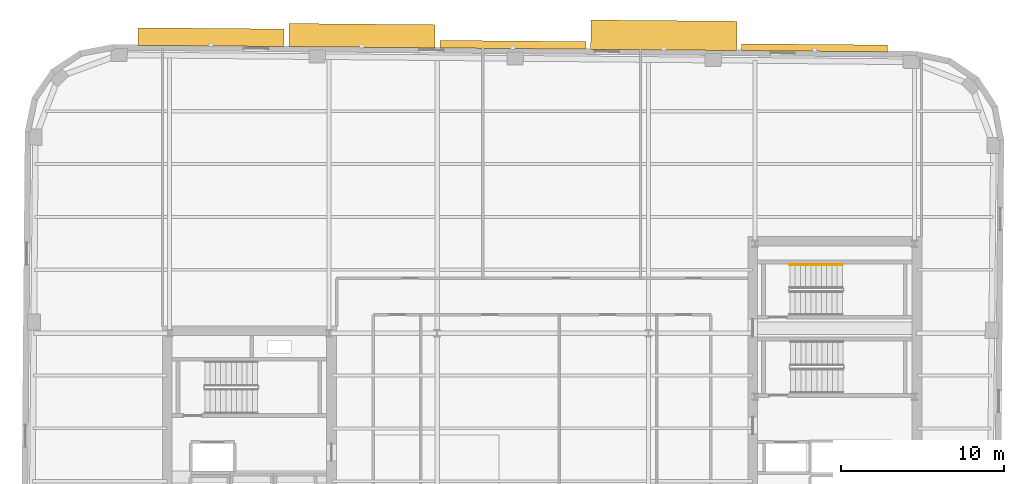
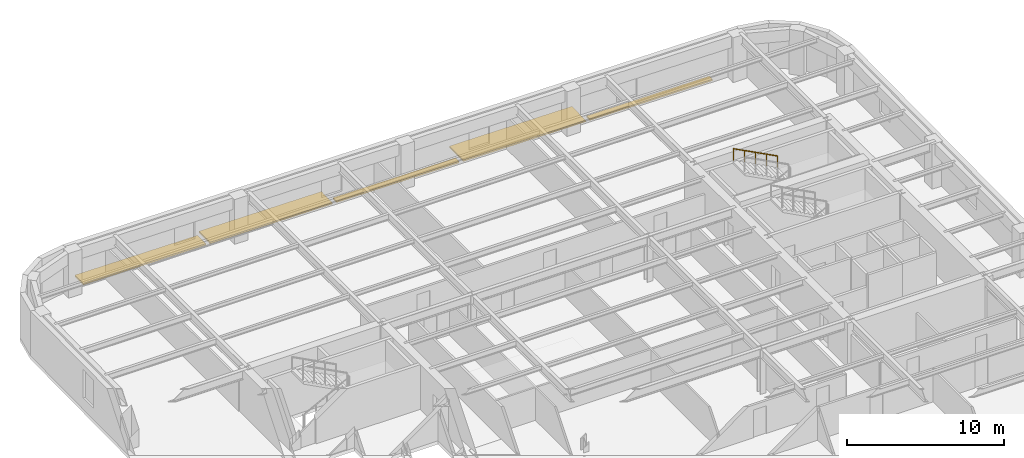
# One storey, part 11 of 11: 5 shading devices, 1 railing.
"""IFC4 building model written with IfcOpenShell, lengths in metres."""

from ifc_helpers import new_model, si_unit, direction, frame, origin, origin_2d, place, context, subcontext, project, spatial, rectangle, circle, extrude, material, type_object, element, save


model = new_model("IFC4")

# Units and contexts
model_context = context("Model", 3, precision=1e-05, world=origin(), true_north=direction((0.0, 1.0)))
body_context = subcontext(model_context, "Body", "Model", "MODEL_VIEW")
ifc_project = project(units=[si_unit("LENGTHUNIT", "METRE"), si_unit("AREAUNIT", "SQUARE_METRE"), si_unit("VOLUMEUNIT", "CUBIC_METRE"), si_unit("PLANEANGLEUNIT", "RADIAN"), si_unit("MASSUNIT", "GRAM", prefix="KILO")], contexts=[model_context])

# Site, building, storey
site_placement = place(None, origin())
site = spatial("IfcSite", under=ifc_project, at=site_placement, CompositionType="ELEMENT")
building_placement = place(site_placement, origin())
building = spatial("IfcBuilding", under=site, at=building_placement, Name="Kolvaren Arena Tower", CompositionType="ELEMENT")
storey_placement = place(building_placement, frame((0.0, 0.0, 173.449951171875)))
storey = spatial("IfcBuildingStorey", under=building, at=storey_placement, Name="L41", CompositionType="ELEMENT", Elevation=173.449951171875)

# Railing
ifc_material_1 = material(Name="Brushed stainless steel handrail", Category="steel")
railing_type = type_object("IfcRailingType", Name="HRAIL-900", PredefinedType="HANDRAIL", material=ifc_material_1)
railing_placement = place(storey_placement, frame((55.919921875, 38.050048828125, 2.04541015625)))
element("IfcRailing", 1, at=railing_placement, inside=storey, type_object=railing_type, Name="L41 ST-E2 stair handrail 2", PredefinedType="HANDRAIL", context=body_context, shape_type="SweptSolid", body=[
    extrude(circle(Radius=0.02392578125, at=origin_2d()), frame((0.0, 0.0, 0.8759765625), z_axis=(-0.884993431791, 0.0, 0.465603506952), x_axis=(0.0, -1.0, 0.0)), (0.0, 0.0, 1.0), 3.6611328125),
    extrude(circle(Radius=0.02099609375, at=origin_2d()), origin(), (0.0, 0.0, 1.0), 0.851806640625),
    extrude(circle(Radius=0.02099609375, at=origin_2d()), frame((-0.81005859375, 0.0, 0.42626953125)), (0.0, 0.0, 1.0), 0.851806640625),
    extrude(circle(Radius=0.02099609375, at=origin_2d()), frame((-1.6201171875, 0.0, 0.852294921875)), (0.0, 0.0, 1.0), 0.851806640625),
    extrude(circle(Radius=0.02099609375, at=origin_2d()), frame((-2.429931640625, 0.0, 1.2783203125)), (0.0, 0.0, 1.0), 0.851806640625),
    extrude(circle(Radius=0.02099609375, at=origin_2d()), frame((-3.239990234375, 0.0, 1.70458984375)), (0.0, 0.0, 1.0), 0.851806640625),
])

# Shading devices
ifc_material_2 = material(Name="Architectural precast GFRC and anodised aluminium sunshade", Category="concrete")
shading_device_type_1 = type_object("IfcShadingDeviceType", Name="SHAD-SINE-A", PredefinedType="USERDEFINED", material=ifc_material_2)
shading_device_1_placement = place(storey_placement, frame((17.093994140625, 52.05126953125, -0.139892578125), z_axis=(0.0, 0.0, 1.0), x_axis=(0.999961923064, -0.008726535498, 0.0)))
element("IfcShadingDevice", 2, at=shading_device_1_placement, inside=storey, type_object=shading_device_type_1, Name="Sinusoidal Slab-Edge Sunshade Louvre (L41)", ObjectType="LOUVRE", PredefinedType="USERDEFINED", context=body_context, shape_type="SweptSolid", body=[
    extrude(rectangle(XDim=8.97998046875, YDim=1.077880859375, at=origin_2d()), origin(), (0.0, 0.0, 1.0), 0.1201171875),
])
shading_device_2_placement = place(storey_placement, frame((35.650390625, 51.582763671875, -0.139892578125), z_axis=(0.0, 0.0, 1.0), x_axis=(0.999961923064, -0.008726535498, 0.0)))
element("IfcShadingDevice", 3, at=shading_device_2_placement, inside=storey, type_object=shading_device_type_1, Name="Sinusoidal Slab-Edge Sunshade Louvre (L41)", ObjectType="LOUVRE", PredefinedType="USERDEFINED", context=body_context, shape_type="SweptSolid", body=[
    extrude(rectangle(XDim=8.97998046875, YDim=0.46435546875, at=origin_2d()), origin(), (0.0, 0.0, 1.0), 0.1201171875),
])
shading_device_3_placement = place(storey_placement, frame((54.209716796875, 51.3974609375, -0.139892578125), z_axis=(0.0, 0.0, 1.0), x_axis=(0.999961923064, -0.008726535498, 0.0)))
element("IfcShadingDevice", 4, at=shading_device_3_placement, inside=storey, type_object=shading_device_type_1, Name="Sinusoidal Slab-Edge Sunshade Louvre (L41)", ObjectType="LOUVRE", PredefinedType="USERDEFINED", context=body_context, shape_type="SweptSolid", body=[
    extrude(rectangle(XDim=8.97998046875, YDim=0.417724609375, at=origin_2d()), origin(), (0.0, 0.0, 1.0), 0.1201171875),
])
shading_device_type_2 = type_object("IfcShadingDeviceType", Name="SHAD-SINE-B", PredefinedType="JALOUSIE", material=ifc_material_2)
shading_device_4_placement = place(storey_placement, frame((26.375, 52.142333984375, -0.139892578125), z_axis=(0.0, 0.0, 1.0), x_axis=(0.999961923064, -0.008726535498, 0.0)))
element("IfcShadingDevice", 5, at=shading_device_4_placement, inside=storey, type_object=shading_device_type_2, Name="Sinusoidal Slab-Edge Sunshade Louvre (L41)", PredefinedType="JALOUSIE", context=body_context, shape_type="SweptSolid", body=[
    extrude(rectangle(XDim=8.97998046875, YDim=1.421875, at=origin_2d()), origin(), (0.0, 0.0, 1.0), 0.1201171875),
])
shading_device_5_placement = place(storey_placement, frame((44.93603515625, 52.168701171875, -0.139892578125), z_axis=(0.0, 0.0, 1.0), x_axis=(0.999961923064, -0.008726535498, 0.0)))
element("IfcShadingDevice", 6, at=shading_device_5_placement, inside=storey, type_object=shading_device_type_2, Name="Sinusoidal Slab-Edge Sunshade Louvre (L41)", PredefinedType="JALOUSIE", context=body_context, shape_type="SweptSolid", body=[
    extrude(rectangle(XDim=8.97998046875, YDim=1.79833984375, at=origin_2d()), origin(), (0.0, 0.0, 1.0), 0.1201171875),
])

save(model, "model.ifc")
